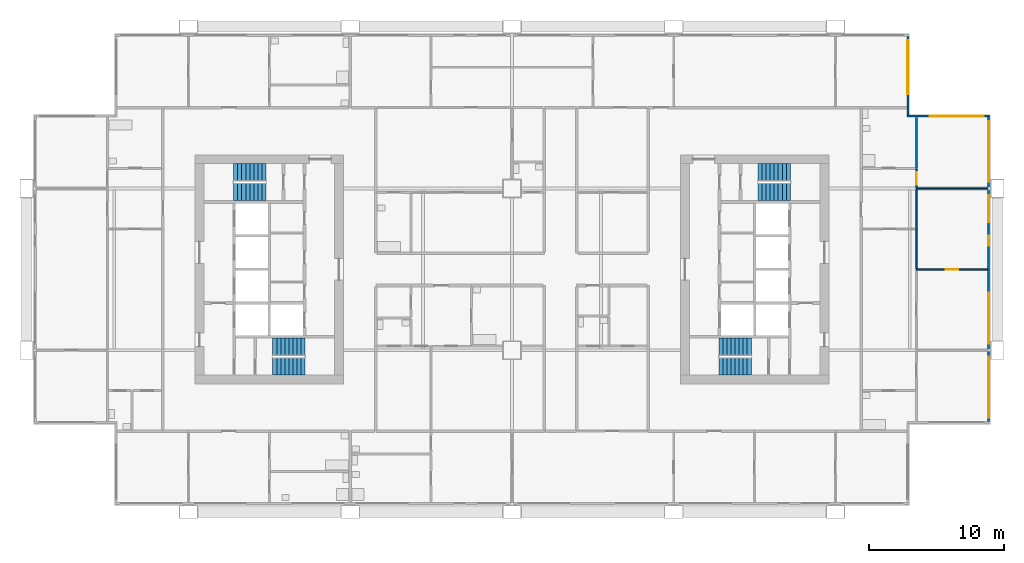
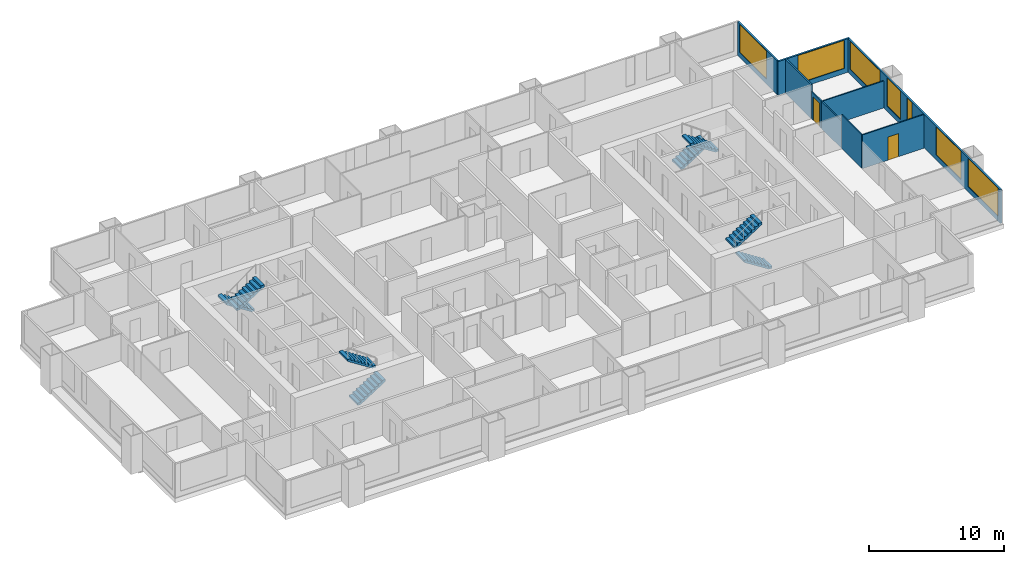
# One storey, part 9 of 11: 9 walls, 8 stair flights, 7 windows, 2 doors, 9 openings, 4 elements without a shape of their own.
"""IFC4 building model written with IfcOpenShell, lengths in metres."""

from ifc_helpers import new_model, si_unit, direction, frame, frame_2d, origin, place, context, subcontext, project, spatial, polyline, rectangle, outline, extrude, material, layer, layer_set, type_object, element, fill, aggregate, save


model = new_model("IFC4")

# Units and contexts
model_context = context("Model", 3, precision=1e-05, world=origin(), true_north=direction((0.0, 1.0)))
body_context = subcontext(model_context, "Body", "Model", "MODEL_VIEW")
ifc_project = project(units=[si_unit("LENGTHUNIT", "METRE"), si_unit("AREAUNIT", "SQUARE_METRE"), si_unit("VOLUMEUNIT", "CUBIC_METRE"), si_unit("PLANEANGLEUNIT", "RADIAN"), si_unit("MASSUNIT", "GRAM", prefix="KILO")], contexts=[model_context])

# Site, building, storey
site_placement = place(None, origin())
site = spatial("IfcSite", under=ifc_project, at=site_placement, CompositionType="ELEMENT")
building_placement = place(site_placement, origin())
building = spatial("IfcBuilding", under=site, at=building_placement, Name="Kitamizu Gate Tower and Museum", CompositionType="ELEMENT")
storey_placement = place(building_placement, frame((0.0, 0.0, 141.449951171875)))
storey = spatial("IfcBuildingStorey", under=building, at=storey_placement, Name="L37", CompositionType="ELEMENT", Elevation=141.449951171875)

# Wall, opening, door
ifc_material_1 = material(Name="Gypsum board on galvanised stud")
ifc_layer_1 = layer(ifc_material_1, 0.10009765625)
ifc_layer_set_1 = layer_set([ifc_layer_1], Name="Gypsum board on galvanised stud")
wall_type_1 = type_object("IfcWallType", Name="Partition 100 NOT RATED", PredefinedType="PARTITIONING", material=ifc_layer_set_1)
wall_1_placement = place(storey_placement, frame((71.280029296875, 30.0, 0.0), z_axis=(0.0, 0.0, 1.0), x_axis=(-1.0, 0.0, 0.0)))
wall_1 = element("IfcWall", 1, at=wall_1_placement, inside=storey, type_object=wall_type_1, Name="Partition L37-087", PredefinedType="PARTITIONING", context=body_context, shape_type="SweptSolid", body=[
    extrude(rectangle(XDim=5.280029296875, YDim=0.10009765625, at=frame_2d((2.64013671875, 0.0))), origin(), (0.0, 0.0, 1.0), 3.050048828125),
])
opening_1_placement = place(wall_1_placement, frame((2.18994140625, 0.0, 0.0)))
opening_1 = element("IfcOpeningElement", 2, at=opening_1_placement, cuts=wall_1, Name="Opening L37-035", PredefinedType="OPENING", context=body_context, shape_type="SweptSolid", body=[
    extrude(rectangle(XDim=0.89990234375, YDim=2.10009765625, at=frame_2d((0.449951171875, 1.050048828125))), frame((0.0, 0.06005859375, 0.0), z_axis=(0.0, -1.0, 0.0), x_axis=(1.0, 0.0, 0.0)), (0.0, 0.0, 1.0), 0.1201171875),
])
ifc_material_2 = material(Name="Timber door set", Category="wood")
door_type = type_object("IfcDoorType", Name="Room door 900", OperationType="NOTDEFINED", PredefinedType="DOOR", material=ifc_material_2)
door_1_placement = place(opening_1_placement, origin())
door_1 = element("IfcDoor", 3, at=door_1_placement, inside=storey, type_object=door_type, Name="Door L37-035", OperationType="SINGLE_SWING_LEFT", OverallHeight=2.10009765625, OverallWidth=0.89990234375, PredefinedType="DOOR", context=body_context, shape_type="SweptSolid", body=[
    extrude(rectangle(XDim=0.89990234375, YDim=2.10009765625, at=frame_2d((0.449951171875, 1.050048828125))), frame((0.0, 0.02490234375, 0.0), z_axis=(0.0, -1.0, 0.0), x_axis=(1.0, 0.0, 0.0)), (0.0, 0.0, 1.0), 0.050048828125),
])
fill(opening_1, door_1)

# Walls
wall_2_placement = place(storey_placement, frame((71.280029296875, 36.0, 0.0), z_axis=(0.0, 0.0, 1.0), x_axis=(-1.0, 0.0, 0.0)))
element("IfcWall", 4, at=wall_2_placement, inside=storey, type_object=wall_type_1, Name="Partition L37-089", PredefinedType="PARTITIONING", context=body_context, shape_type="SweptSolid", body=[
    extrude(rectangle(XDim=5.280029296875, YDim=0.10009765625, at=frame_2d((2.64013671875, 0.0))), origin(), (0.0, 0.0, 1.0), 2.449951171875),
])
wall_3_placement = place(storey_placement, frame((66.0, 33.0, 0.0), z_axis=(0.0, 0.0, 1.0), x_axis=(0.0, -1.0, 0.0)))
element("IfcWall", 5, at=wall_3_placement, inside=storey, type_object=wall_type_1, Name="Partition L37-090", PredefinedType="PARTITIONING", context=body_context, shape_type="SweptSolid", body=[
    extrude(rectangle(XDim=2.949951171875, YDim=0.10009765625, at=frame_2d((1.47509765625, 0.0))), origin(), (0.0, 0.0, 1.0), 3.050048828125),
])
wall_4_placement = place(storey_placement, frame((66.0, 35.949951171875, 0.0), z_axis=(0.0, 0.0, 1.0), x_axis=(0.0, -1.0, 0.0)))
element("IfcWall", 6, at=wall_4_placement, inside=storey, type_object=wall_type_1, Name="Partition L37-091", PredefinedType="PARTITIONING", context=body_context, shape_type="SweptSolid", body=[
    extrude(rectangle(XDim=2.949951171875, YDim=0.10009765625, at=frame_2d((1.47509765625, 0.0))), origin(), (0.0, 0.0, 1.0), 2.449951171875),
])

# Wall, opening, door
wall_5_placement = place(storey_placement, frame((66.0, 37.425048828125, 0.0), z_axis=(0.0, 0.0, 1.0), x_axis=(0.0, -1.0, 0.0)))
wall_5 = element("IfcWall", 7, at=wall_5_placement, inside=storey, type_object=wall_type_1, Name="Partition L37-092", PredefinedType="PARTITIONING", context=body_context, shape_type="SweptSolid", body=[
    extrude(rectangle(XDim=1.375, YDim=0.10009765625, at=frame_2d((0.6875, 0.0))), origin(), (0.0, 0.0, 1.0), 2.449951171875),
])
opening_2_placement = place(wall_5_placement, frame((0.237548828125, 0.0, 0.0)))
opening_2 = element("IfcOpeningElement", 8, at=opening_2_placement, cuts=wall_5, Name="Opening L37-036", PredefinedType="OPENING", context=body_context, shape_type="SweptSolid", body=[
    extrude(rectangle(XDim=0.89990234375, YDim=2.10009765625, at=frame_2d((0.449951171875, 1.050048828125))), frame((0.0, 0.06005859375, 0.0), z_axis=(0.0, -1.0, 0.0), x_axis=(1.0, 0.0, 0.0)), (0.0, 0.0, 1.0), 0.1201171875),
])
door_2_placement = place(opening_2_placement, origin())
door_2 = element("IfcDoor", 9, at=door_2_placement, inside=storey, type_object=door_type, Name="Door L37-036", OperationType="SINGLE_SWING_LEFT", OverallHeight=2.10009765625, OverallWidth=0.89990234375, PredefinedType="DOOR", context=body_context, shape_type="SweptSolid", body=[
    extrude(rectangle(XDim=0.89990234375, YDim=2.10009765625, at=frame_2d((0.449951171875, 1.050048828125))), frame((0.0, 0.02490234375, 0.0), z_axis=(0.0, -1.0, 0.0), x_axis=(1.0, 0.0, 0.0)), (0.0, 0.0, 1.0), 0.050048828125),
])
fill(opening_2, door_2)

# Wall
ifc_material_3 = material(Name="Gypsum board on galvanised stud")
ifc_layer_2 = layer(ifc_material_3, 0.14990234375)
ifc_layer_set_2 = layer_set([ifc_layer_2], Name="Gypsum board on galvanised stud")
wall_type_2 = type_object("IfcWallType", Name="Partition 150", PredefinedType="PARTITIONING", material=ifc_layer_set_2)
wall_6_placement = place(storey_placement, frame((66.0, 41.280029296875, 0.0), z_axis=(0.0, 0.0, 1.0), x_axis=(0.0, -1.0, 0.0)))
element("IfcWall", 10, at=wall_6_placement, inside=storey, type_object=wall_type_2, Name="Partition L37-093", PredefinedType="PARTITIONING", context=body_context, shape_type="SweptSolid", body=[
    extrude(rectangle(XDim=3.780029296875, YDim=0.14990234375, at=frame_2d((1.89013671875, 0.0))), origin(), (0.0, 0.0, 1.0), 3.050048828125),
])

# Wall, openings, windows
ifc_material_4 = material(Name="Bronze anodised aluminium frame with insulated spandrel and tinted glass", Category="aluminium")
ifc_layer_3 = layer(ifc_material_4, 0.14990234375)
ifc_layer_set_3 = layer_set([ifc_layer_3], Name="Bronze anodised aluminium frame with insulated spandrel and tinted glass")
wall_type_3 = type_object("IfcWallType", Name="WINDOW WALL 150 BRONZE FRAME EI 30", PredefinedType="ELEMENTEDWALL", material=ifc_layer_set_3)
wall_7_placement = place(storey_placement, frame((71.364990234375, 18.7099609375, 0.0), z_axis=(0.0, 0.0, 1.0), x_axis=(0.0, 1.0, 0.0)))
wall_7 = element("IfcWall", 11, at=wall_7_placement, inside=storey, type_object=wall_type_3, Name="Window wall east L37", PredefinedType="ELEMENTEDWALL", context=body_context, shape_type="SweptSolid", body=[
    extrude(rectangle(XDim=22.580078125, YDim=0.14990234375, at=frame_2d((11.2900390625, 0.0))), origin(), (0.0, 0.0, 1.0), 3.050048828125),
])
opening_3_placement = place(wall_7_placement, frame((0.2900390625, 0.0, 0.449951171875)))
opening_3 = element("IfcOpeningElement", 12, at=opening_3_placement, cuts=wall_7, Name="Opening W15", PredefinedType="OPENING", context=body_context, shape_type="SweptSolid", body=[
    extrude(rectangle(XDim=4.5, YDim=2.550048828125, at=frame_2d((2.25, 1.27490234375))), frame((0.0, 0.0849609375, 0.0), z_axis=(0.0, -1.0, 0.0), x_axis=(1.0, 0.0, 0.0)), (0.0, 0.0, 1.0), 0.169921875),
])
opening_4_placement = place(wall_7_placement, frame((5.7900390625, 0.0, 0.449951171875)))
opening_4 = element("IfcOpeningElement", 13, at=opening_4_placement, cuts=wall_7, Name="Opening W36", PredefinedType="OPENING", context=body_context, shape_type="SweptSolid", body=[
    extrude(rectangle(XDim=3.75, YDim=2.550048828125, at=frame_2d((1.875, 1.27490234375))), frame((0.0, 0.0849609375, 0.0), z_axis=(0.0, -1.0, 0.0), x_axis=(1.0, 0.0, 0.0)), (0.0, 0.0, 1.0), 0.169921875),
])
opening_5_placement = place(wall_7_placement, frame((13.0400390625, 0.0, 0.449951171875)))
opening_5 = element("IfcOpeningElement", 14, at=opening_5_placement, cuts=wall_7, Name="Opening W25", PredefinedType="OPENING", context=body_context, shape_type="SweptSolid", body=[
    extrude(rectangle(XDim=0.75, YDim=2.550048828125, at=frame_2d((0.375, 1.27490234375))), frame((0.0, 0.0849609375, 0.0), z_axis=(0.0, -1.0, 0.0), x_axis=(1.0, 0.0, 0.0)), (0.0, 0.0, 1.0), 0.169921875),
])
opening_6_placement = place(wall_7_placement, frame((14.7900390625, 0.0, 0.449951171875)))
opening_6 = element("IfcOpeningElement", 15, at=opening_6_placement, cuts=wall_7, Name="Opening W2", PredefinedType="OPENING", context=body_context, shape_type="SweptSolid", body=[
    extrude(rectangle(XDim=2.0, YDim=2.550048828125, at=frame_2d((1.0, 1.27490234375))), frame((0.0, 0.0849609375, 0.0), z_axis=(0.0, -1.0, 0.0), x_axis=(1.0, 0.0, 0.0)), (0.0, 0.0, 1.0), 0.169921875),
])
opening_7_placement = place(wall_7_placement, frame((17.7900390625, 0.0, 0.449951171875)))
opening_7 = element("IfcOpeningElement", 16, at=opening_7_placement, cuts=wall_7, Name="Opening W15", PredefinedType="OPENING", context=body_context, shape_type="SweptSolid", body=[
    extrude(rectangle(XDim=4.5, YDim=2.550048828125, at=frame_2d((2.25, 1.27490234375))), frame((0.0, 0.0849609375, 0.0), z_axis=(0.0, -1.0, 0.0), x_axis=(1.0, 0.0, 0.0)), (0.0, 0.0, 1.0), 0.169921875),
])
ifc_material_5 = material(Name="Bronze anodised aluminium frame, tinted triple glazing", Category="aluminium")
window_type_1 = type_object("IfcWindowType", Name="WINDOW 2000 x 2550 SILL 450", PartitioningType="SINGLE_PANEL", PredefinedType="WINDOW", material=ifc_material_5)
window_1_placement = place(opening_6_placement, origin())
window_1 = element("IfcWindow", 17, at=window_1_placement, inside=storey, type_object=window_type_1, Name="Window W2 L37", OverallHeight=2.550048828125, OverallWidth=2.0, PartitioningType="SINGLE_PANEL", PredefinedType="WINDOW", context=body_context, shape_type="SweptSolid", body=[
    extrude(rectangle(XDim=2.0, YDim=2.550048828125, at=frame_2d((1.0, 1.27490234375))), frame((0.0, 0.030029296875, 0.0), z_axis=(0.0, -1.0, 0.0), x_axis=(1.0, 0.0, 0.0)), (0.0, 0.0, 1.0), 0.06005859375),
])
fill(opening_6, window_1)
ifc_material_6 = material(Name="Bronze anodised aluminium frame, tinted triple glazing", Category="aluminium")
window_type_2 = type_object("IfcWindowType", Name="WINDOW 3750 x 2550 SILL 450", PartitioningType="SINGLE_PANEL", PredefinedType="WINDOW", material=ifc_material_6)
window_2_placement = place(opening_4_placement, origin())
window_2 = element("IfcWindow", 18, at=window_2_placement, inside=storey, type_object=window_type_2, Name="Window W36 L37", OverallHeight=2.550048828125, OverallWidth=3.75, PartitioningType="SINGLE_PANEL", PredefinedType="WINDOW", context=body_context, shape_type="SweptSolid", body=[
    extrude(rectangle(XDim=3.75, YDim=2.550048828125, at=frame_2d((1.875, 1.27490234375))), frame((0.0, 0.030029296875, 0.0), z_axis=(0.0, -1.0, 0.0), x_axis=(1.0, 0.0, 0.0)), (0.0, 0.0, 1.0), 0.06005859375),
])
fill(opening_4, window_2)
ifc_material_7 = material(Name="Bronze anodised aluminium frame, tinted triple glazing", Category="aluminium")
window_type_3 = type_object("IfcWindowType", Name="WINDOW 4500 x 2550 SILL 450", PartitioningType="SINGLE_PANEL", PredefinedType="WINDOW", material=ifc_material_7)
window_3_placement = place(opening_3_placement, origin())
window_3 = element("IfcWindow", 19, at=window_3_placement, inside=storey, type_object=window_type_3, Name="Window W15 L37", OverallHeight=2.550048828125, OverallWidth=4.5, PartitioningType="SINGLE_PANEL", PredefinedType="WINDOW", context=body_context, shape_type="SweptSolid", body=[
    extrude(rectangle(XDim=4.5, YDim=2.550048828125, at=frame_2d((2.25, 1.27490234375))), frame((0.0, 0.030029296875, 0.0), z_axis=(0.0, -1.0, 0.0), x_axis=(1.0, 0.0, 0.0)), (0.0, 0.0, 1.0), 0.06005859375),
])
fill(opening_3, window_3)
window_4_placement = place(opening_7_placement, origin())
window_4 = element("IfcWindow", 20, at=window_4_placement, inside=storey, type_object=window_type_3, Name="Window W15 L37", OverallHeight=2.550048828125, OverallWidth=4.5, PartitioningType="SINGLE_PANEL", PredefinedType="WINDOW", context=body_context, shape_type="SweptSolid", body=[
    extrude(rectangle(XDim=4.5, YDim=2.550048828125, at=frame_2d((2.25, 1.27490234375))), frame((0.0, 0.030029296875, 0.0), z_axis=(0.0, -1.0, 0.0), x_axis=(1.0, 0.0, 0.0)), (0.0, 0.0, 1.0), 0.06005859375),
])
fill(opening_7, window_4)
ifc_material_8 = material(Name="Bronze anodised aluminium frame, tinted triple glazing", Category="aluminium")
window_type_4 = type_object("IfcWindowType", Name="WINDOW 750 x 2550 SILL 450", PartitioningType="SINGLE_PANEL", PredefinedType="WINDOW", material=ifc_material_8)
window_5_placement = place(opening_5_placement, origin())
window_5 = element("IfcWindow", 21, at=window_5_placement, inside=storey, type_object=window_type_4, Name="Window W25 L37", OverallHeight=2.550048828125, OverallWidth=0.75, PartitioningType="SINGLE_PANEL", PredefinedType="WINDOW", context=body_context, shape_type="SweptSolid", body=[
    extrude(rectangle(XDim=0.75, YDim=2.550048828125, at=frame_2d((0.375, 1.27490234375))), frame((0.0, 0.030029296875, 0.0), z_axis=(0.0, -1.0, 0.0), x_axis=(1.0, 0.0, 0.0)), (0.0, 0.0, 1.0), 0.06005859375),
])
fill(opening_5, window_5)

# Wall, opening, window
wall_8_placement = place(storey_placement, frame((65.2900390625, 41.364990234375, 0.0), z_axis=(0.0, 0.0, 1.0), x_axis=(1.0, 0.0, 0.0)))
wall_8 = element("IfcWall", 22, at=wall_8_placement, inside=storey, type_object=wall_type_3, Name="Window wall north L37", PredefinedType="ELEMENTEDWALL", context=body_context, shape_type="SweptSolid", body=[
    extrude(rectangle(XDim=6.14990234375, YDim=0.14990234375, at=frame_2d((3.074951171875, 0.0))), origin(), (0.0, 0.0, 1.0), 3.050048828125),
])
opening_8_placement = place(wall_8_placement, frame((1.7099609375, 0.0, 0.449951171875)))
opening_8 = element("IfcOpeningElement", 23, at=opening_8_placement, cuts=wall_8, Name="Opening W16", PredefinedType="OPENING", context=body_context, shape_type="SweptSolid", body=[
    extrude(rectangle(XDim=4.0, YDim=2.550048828125, at=frame_2d((2.0, 1.27490234375))), frame((0.0, 0.0849609375, 0.0), z_axis=(0.0, -1.0, 0.0), x_axis=(1.0, 0.0, 0.0)), (0.0, 0.0, 1.0), 0.169921875),
])
ifc_material_9 = material(Name="Bronze anodised aluminium frame, tinted triple glazing", Category="aluminium")
window_type_5 = type_object("IfcWindowType", Name="WINDOW 4000 x 2550 SILL 450", PartitioningType="SINGLE_PANEL", PredefinedType="WINDOW", material=ifc_material_9)
window_6_placement = place(opening_8_placement, origin())
window_6 = element("IfcWindow", 24, at=window_6_placement, inside=storey, type_object=window_type_5, Name="Window W16 L37", OverallHeight=2.550048828125, OverallWidth=4.0, PartitioningType="SINGLE_PANEL", PredefinedType="WINDOW", context=body_context, shape_type="SweptSolid", body=[
    extrude(rectangle(XDim=4.0, YDim=2.550048828125, at=frame_2d((2.0, 1.27490234375))), frame((0.0, 0.030029296875, 0.0), z_axis=(0.0, -1.0, 0.0), x_axis=(1.0, 0.0, 0.0)), (0.0, 0.0, 1.0), 0.06005859375),
])
fill(opening_8, window_6)

wall_9_placement = place(storey_placement, frame((65.364990234375, 41.43994140625, 0.0), z_axis=(0.0, 0.0, 1.0), x_axis=(0.0, 1.0, 0.0)))
wall_9 = element("IfcWall", 25, at=wall_9_placement, inside=storey, type_object=wall_type_3, Name="Window wall east L37", PredefinedType="ELEMENTEDWALL", context=body_context, shape_type="SweptSolid", body=[
    extrude(rectangle(XDim=5.85009765625, YDim=0.14990234375, at=frame_2d((2.925048828125, 0.0))), origin(), (0.0, 0.0, 1.0), 3.050048828125),
])
opening_9_placement = place(wall_9_placement, frame((1.56005859375, 0.0, 0.449951171875)))
opening_9 = element("IfcOpeningElement", 26, at=opening_9_placement, cuts=wall_9, Name="Opening W16", PredefinedType="OPENING", context=body_context, shape_type="SweptSolid", body=[
    extrude(rectangle(XDim=4.0, YDim=2.550048828125, at=frame_2d((2.0, 1.27490234375))), frame((0.0, 0.0849609375, 0.0), z_axis=(0.0, -1.0, 0.0), x_axis=(1.0, 0.0, 0.0)), (0.0, 0.0, 1.0), 0.169921875),
])
window_7_placement = place(opening_9_placement, origin())
window_7 = element("IfcWindow", 27, at=window_7_placement, inside=storey, type_object=window_type_5, Name="Window W16 L37", OverallHeight=2.550048828125, OverallWidth=4.0, PartitioningType="SINGLE_PANEL", PredefinedType="WINDOW", context=body_context, shape_type="SweptSolid", body=[
    extrude(rectangle(XDim=4.0, YDim=2.550048828125, at=frame_2d((2.0, 1.27490234375))), frame((0.0, 0.030029296875, 0.0), z_axis=(0.0, -1.0, 0.0), x_axis=(1.0, 0.0, 0.0)), (0.0, 0.0, 1.0), 0.06005859375),
])
fill(opening_9, window_7)

# Stair, stair flights
ifc_material_10 = material(Name="Concrete Fc42", Category="concrete")
stair_type = type_object("IfcStairType", Name="Exit stair 1275 wide 192 rise 300 going", PredefinedType="HALF_TURN_STAIR", material=ifc_material_10)
stair_1_placement = place(storey_placement, origin())
stair_1 = element("IfcStair", 28, at=stair_1_placement, inside=storey, type_object=stair_type, Name="Exit stair ST1", PredefinedType="HALF_TURN_STAIR")
ifc_material_11 = material(Name="Concrete Fc42", Category="concrete")
stair_flight_type = type_object("IfcStairFlightType", Name="Stair flight 1275 wide 192 rise 300 going", PredefinedType="STRAIGHT", material=ifc_material_11)
stair_flight_1_placement = place(storey_placement, frame((18.25, 22.78759765625, 0.0), z_axis=(0.0, 0.0, 1.0), x_axis=(1.0, 0.0, 0.0)))
stair_flight_1 = element("IfcStairFlight", 29, at=stair_flight_1_placement, type_object=stair_flight_type, Name="ST1 flight 1", NumberOfRisers=9, NumberOfTreads=8, PredefinedType="STRAIGHT", RiserHeight=0.191666667, TreadLength=0.3, context=body_context, shape_type="SweptSolid", body=[
    extrude(outline(polyline([(0.0, 0.0), (0.0, 0.191650390625), (0.300048828125, 0.191650390625), (0.300048828125, 0.38330078125), (0.60009765625, 0.38330078125), (0.60009765625, 0.574951171875), (0.89990234375, 0.574951171875), (0.89990234375, 0.7666015625), (1.199951171875, 0.7666015625), (1.199951171875, 0.958251953125), (1.5, 0.958251953125), (1.5, 1.14990234375), (1.800048828125, 1.14990234375), (1.800048828125, 1.341552734375), (2.10009765625, 1.341552734375), (2.10009765625, 1.533447265625), (2.39990234375, 1.533447265625), (2.39990234375, 1.72509765625), (2.39990234375, 1.35546875), (0.2783203125, 0.0), (0.0, 0.0)])), frame((0.0, 0.637451171875, 0.0), z_axis=(0.0, -1.0, 0.0), x_axis=(1.0, 0.0, 0.0)), (0.0, 0.0, 1.0), 1.27490234375),
])
stair_flight_2_placement = place(storey_placement, frame((20.64990234375, 24.262451171875, 1.72509765625), z_axis=(0.0, 0.0, 1.0), x_axis=(-1.0, 0.0, 0.0)))
stair_flight_2 = element("IfcStairFlight", 30, at=stair_flight_2_placement, type_object=stair_flight_type, Name="ST1 flight 2", NumberOfRisers=9, NumberOfTreads=8, PredefinedType="STRAIGHT", RiserHeight=0.191666667, TreadLength=0.3, context=body_context, shape_type="SweptSolid", body=[
    extrude(outline(polyline([(0.0, 0.0), (0.0, 0.191650390625), (0.300048828125, 0.191650390625), (0.300048828125, 0.38330078125), (0.60009765625, 0.38330078125), (0.60009765625, 0.574951171875), (0.89990234375, 0.574951171875), (0.89990234375, 0.7666015625), (1.199951171875, 0.7666015625), (1.199951171875, 0.958251953125), (1.5, 0.958251953125), (1.5, 1.14990234375), (1.800048828125, 1.14990234375), (1.800048828125, 1.341552734375), (2.10009765625, 1.341552734375), (2.10009765625, 1.533447265625), (2.39990234375, 1.533447265625), (2.39990234375, 1.72509765625), (2.39990234375, 1.35546875), (0.2783203125, 0.0), (0.0, 0.0)])), frame((0.0, 0.637451171875, 0.0), z_axis=(0.0, -1.0, 0.0), x_axis=(1.0, 0.0, 0.0)), (0.0, 0.0, 1.0), 1.27490234375),
])
aggregate(stair_1, [stair_flight_1, stair_flight_2])

stair_2_placement = place(storey_placement, origin())
stair_2 = element("IfcStair", 31, at=stair_2_placement, inside=storey, type_object=stair_type, Name="Exit stair ST2", PredefinedType="HALF_TURN_STAIR")
stair_flight_3_placement = place(storey_placement, frame((17.75, 37.21240234375, 0.0), z_axis=(0.0, 0.0, 1.0), x_axis=(-1.0, 0.0, 0.0)))
stair_flight_3 = element("IfcStairFlight", 32, at=stair_flight_3_placement, type_object=stair_flight_type, Name="ST2 flight 1", NumberOfRisers=9, NumberOfTreads=8, PredefinedType="STRAIGHT", RiserHeight=0.191666667, TreadLength=0.3, context=body_context, shape_type="SweptSolid", body=[
    extrude(outline(polyline([(0.0, 0.0), (0.0, 0.191650390625), (0.300048828125, 0.191650390625), (0.300048828125, 0.38330078125), (0.60009765625, 0.38330078125), (0.60009765625, 0.574951171875), (0.89990234375, 0.574951171875), (0.89990234375, 0.7666015625), (1.199951171875, 0.7666015625), (1.199951171875, 0.958251953125), (1.5, 0.958251953125), (1.5, 1.14990234375), (1.800048828125, 1.14990234375), (1.800048828125, 1.341552734375), (2.10009765625, 1.341552734375), (2.10009765625, 1.533447265625), (2.39990234375, 1.533447265625), (2.39990234375, 1.72509765625), (2.39990234375, 1.35546875), (0.2783203125, 0.0), (0.0, 0.0)])), frame((0.0, 0.637451171875, 0.0), z_axis=(0.0, -1.0, 0.0), x_axis=(1.0, 0.0, 0.0)), (0.0, 0.0, 1.0), 1.27490234375),
])
stair_flight_4_placement = place(storey_placement, frame((15.35009765625, 35.737548828125, 1.72509765625), z_axis=(0.0, 0.0, 1.0), x_axis=(1.0, 0.0, 0.0)))
stair_flight_4 = element("IfcStairFlight", 33, at=stair_flight_4_placement, type_object=stair_flight_type, Name="ST2 flight 2", NumberOfRisers=9, NumberOfTreads=8, PredefinedType="STRAIGHT", RiserHeight=0.191666667, TreadLength=0.3, context=body_context, shape_type="SweptSolid", body=[
    extrude(outline(polyline([(0.0, 0.0), (0.0, 0.191650390625), (0.300048828125, 0.191650390625), (0.300048828125, 0.38330078125), (0.60009765625, 0.38330078125), (0.60009765625, 0.574951171875), (0.89990234375, 0.574951171875), (0.89990234375, 0.7666015625), (1.199951171875, 0.7666015625), (1.199951171875, 0.958251953125), (1.5, 0.958251953125), (1.5, 1.14990234375), (1.800048828125, 1.14990234375), (1.800048828125, 1.341552734375), (2.10009765625, 1.341552734375), (2.10009765625, 1.533447265625), (2.39990234375, 1.533447265625), (2.39990234375, 1.72509765625), (2.39990234375, 1.35546875), (0.2783203125, 0.0), (0.0, 0.0)])), frame((0.0, 0.637451171875, 0.0), z_axis=(0.0, -1.0, 0.0), x_axis=(1.0, 0.0, 0.0)), (0.0, 0.0, 1.0), 1.27490234375),
])
aggregate(stair_2, [stair_flight_3, stair_flight_4])

stair_3_placement = place(storey_placement, origin())
stair_3 = element("IfcStair", 34, at=stair_3_placement, inside=storey, type_object=stair_type, Name="Exit stair ST3", PredefinedType="HALF_TURN_STAIR")
stair_flight_5_placement = place(storey_placement, frame((53.75, 22.78759765625, 0.0), z_axis=(0.0, 0.0, 1.0), x_axis=(-1.0, 0.0, 0.0)))
stair_flight_5 = element("IfcStairFlight", 35, at=stair_flight_5_placement, type_object=stair_flight_type, Name="ST3 flight 1", NumberOfRisers=9, NumberOfTreads=8, PredefinedType="STRAIGHT", RiserHeight=0.191666667, TreadLength=0.3, context=body_context, shape_type="SweptSolid", body=[
    extrude(outline(polyline([(0.0, 0.0), (0.0, 0.191650390625), (0.300048828125, 0.191650390625), (0.300048828125, 0.38330078125), (0.60009765625, 0.38330078125), (0.60009765625, 0.574951171875), (0.89990234375, 0.574951171875), (0.89990234375, 0.7666015625), (1.199951171875, 0.7666015625), (1.199951171875, 0.958251953125), (1.5, 0.958251953125), (1.5, 1.14990234375), (1.800048828125, 1.14990234375), (1.800048828125, 1.341552734375), (2.10009765625, 1.341552734375), (2.10009765625, 1.533447265625), (2.39990234375, 1.533447265625), (2.39990234375, 1.72509765625), (2.39990234375, 1.35546875), (0.2783203125, 0.0), (0.0, 0.0)])), frame((0.0, 0.637451171875, 0.0), z_axis=(0.0, -1.0, 0.0), x_axis=(1.0, 0.0, 0.0)), (0.0, 0.0, 1.0), 1.27490234375),
])
stair_flight_6_placement = place(storey_placement, frame((51.35009765625, 24.262451171875, 1.72509765625), z_axis=(0.0, 0.0, 1.0), x_axis=(1.0, 0.0, 0.0)))
stair_flight_6 = element("IfcStairFlight", 36, at=stair_flight_6_placement, type_object=stair_flight_type, Name="ST3 flight 2", NumberOfRisers=9, NumberOfTreads=8, PredefinedType="STRAIGHT", RiserHeight=0.191666667, TreadLength=0.3, context=body_context, shape_type="SweptSolid", body=[
    extrude(outline(polyline([(0.0, 0.0), (0.0, 0.191650390625), (0.300048828125, 0.191650390625), (0.300048828125, 0.38330078125), (0.60009765625, 0.38330078125), (0.60009765625, 0.574951171875), (0.89990234375, 0.574951171875), (0.89990234375, 0.7666015625), (1.199951171875, 0.7666015625), (1.199951171875, 0.958251953125), (1.5, 0.958251953125), (1.5, 1.14990234375), (1.800048828125, 1.14990234375), (1.800048828125, 1.341552734375), (2.10009765625, 1.341552734375), (2.10009765625, 1.533447265625), (2.39990234375, 1.533447265625), (2.39990234375, 1.72509765625), (2.39990234375, 1.35546875), (0.2783203125, 0.0), (0.0, 0.0)])), frame((0.0, 0.637451171875, 0.0), z_axis=(0.0, -1.0, 0.0), x_axis=(1.0, 0.0, 0.0)), (0.0, 0.0, 1.0), 1.27490234375),
])
aggregate(stair_3, [stair_flight_5, stair_flight_6])

stair_4_placement = place(storey_placement, origin())
stair_4 = element("IfcStair", 37, at=stair_4_placement, inside=storey, type_object=stair_type, Name="Exit stair ST4", PredefinedType="HALF_TURN_STAIR")
stair_flight_7_placement = place(storey_placement, frame((54.25, 37.21240234375, 0.0), z_axis=(0.0, 0.0, 1.0), x_axis=(1.0, 0.0, 0.0)))
stair_flight_7 = element("IfcStairFlight", 38, at=stair_flight_7_placement, type_object=stair_flight_type, Name="ST4 flight 1", NumberOfRisers=9, NumberOfTreads=8, PredefinedType="STRAIGHT", RiserHeight=0.191666667, TreadLength=0.3, context=body_context, shape_type="SweptSolid", body=[
    extrude(outline(polyline([(0.0, 0.0), (0.0, 0.191650390625), (0.300048828125, 0.191650390625), (0.300048828125, 0.38330078125), (0.60009765625, 0.38330078125), (0.60009765625, 0.574951171875), (0.89990234375, 0.574951171875), (0.89990234375, 0.7666015625), (1.199951171875, 0.7666015625), (1.199951171875, 0.958251953125), (1.5, 0.958251953125), (1.5, 1.14990234375), (1.800048828125, 1.14990234375), (1.800048828125, 1.341552734375), (2.10009765625, 1.341552734375), (2.10009765625, 1.533447265625), (2.39990234375, 1.533447265625), (2.39990234375, 1.72509765625), (2.39990234375, 1.35546875), (0.2783203125, 0.0), (0.0, 0.0)])), frame((0.0, 0.637451171875, 0.0), z_axis=(0.0, -1.0, 0.0), x_axis=(1.0, 0.0, 0.0)), (0.0, 0.0, 1.0), 1.27490234375),
])
stair_flight_8_placement = place(storey_placement, frame((56.64990234375, 35.737548828125, 1.72509765625), z_axis=(0.0, 0.0, 1.0), x_axis=(-1.0, 0.0, 0.0)))
stair_flight_8 = element("IfcStairFlight", 39, at=stair_flight_8_placement, type_object=stair_flight_type, Name="ST4 flight 2", NumberOfRisers=9, NumberOfTreads=8, PredefinedType="STRAIGHT", RiserHeight=0.191666667, TreadLength=0.3, context=body_context, shape_type="SweptSolid", body=[
    extrude(outline(polyline([(0.0, 0.0), (0.0, 0.191650390625), (0.300048828125, 0.191650390625), (0.300048828125, 0.38330078125), (0.60009765625, 0.38330078125), (0.60009765625, 0.574951171875), (0.89990234375, 0.574951171875), (0.89990234375, 0.7666015625), (1.199951171875, 0.7666015625), (1.199951171875, 0.958251953125), (1.5, 0.958251953125), (1.5, 1.14990234375), (1.800048828125, 1.14990234375), (1.800048828125, 1.341552734375), (2.10009765625, 1.341552734375), (2.10009765625, 1.533447265625), (2.39990234375, 1.533447265625), (2.39990234375, 1.72509765625), (2.39990234375, 1.35546875), (0.2783203125, 0.0), (0.0, 0.0)])), frame((0.0, 0.637451171875, 0.0), z_axis=(0.0, -1.0, 0.0), x_axis=(1.0, 0.0, 0.0)), (0.0, 0.0, 1.0), 1.27490234375),
])
aggregate(stair_4, [stair_flight_7, stair_flight_8])

save(model, "model.ifc")
